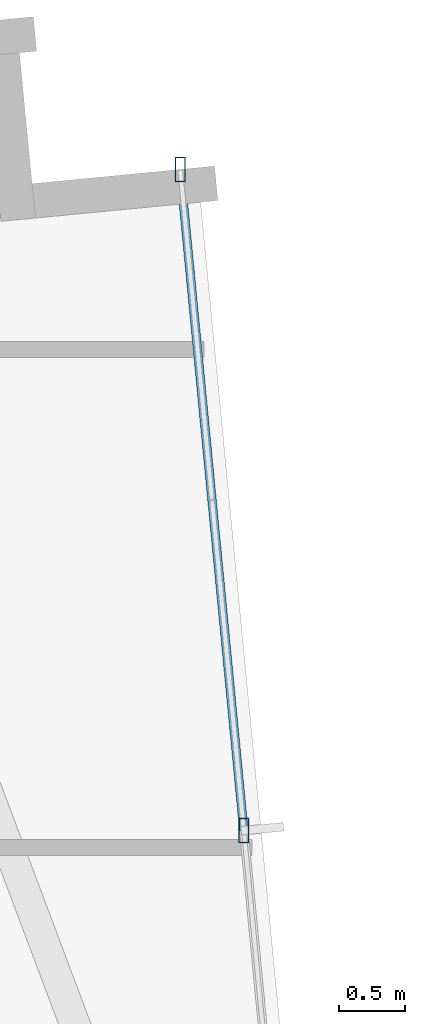
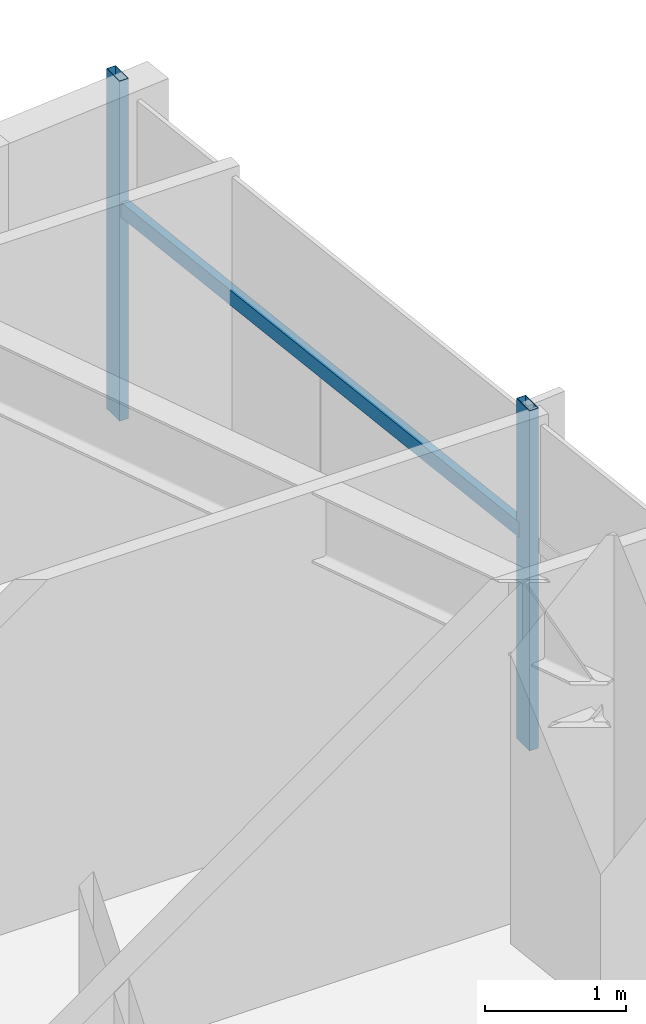
# One storey, part 17 of 25: 3 members, 1 element without a shape of its own.
"""IFC4 building model written with IfcOpenShell, lengths in metres."""

from ifc_helpers import new_model, si_unit, direction, frame, origin, origin_2d, place, context, subcontext, project, spatial, hollow_rectangle, extrude, source, transform, mapped, material, material_profile, profile_set, type_object, type_shapes, element, aggregate, save


model = new_model("IFC4")

# Units and contexts
model_context = context("Model", 3, precision=1e-05, world=origin(), true_north=direction((0.0, 1.0)))
body_context = subcontext(model_context, "Body", "Model", "MODEL_VIEW")
ifc_project = project(units=[si_unit("LENGTHUNIT", "METRE"), si_unit("AREAUNIT", "SQUARE_METRE"), si_unit("VOLUMEUNIT", "CUBIC_METRE"), si_unit("PLANEANGLEUNIT", "RADIAN"), si_unit("MASSUNIT", "GRAM", prefix="KILO")], contexts=[model_context])

# Site, building, storey
site_placement = place(None, origin())
site = spatial("IfcSite", under=ifc_project, at=site_placement, CompositionType="ELEMENT")
building_placement = place(site_placement, origin())
building = spatial("IfcBuilding", under=site, at=building_placement, Name="Astriad Promenade Condominiums", CompositionType="ELEMENT")
storey_placement = place(building_placement, frame((0.0, 0.0, 77.800048828125)))
storey = spatial("IfcBuildingStorey", under=building, at=storey_placement, Name="L21", CompositionType="ELEMENT", Elevation=77.800048828125)

# Curtain wall, members
ifc_material_1 = material(Name="Anodised aluminium Black Dark Glass Unitised", Category="aluminium")
curtain_wall_type = type_object("IfcCurtainWallType", Name="CW-B2-DARK", PredefinedType="USERDEFINED", material=ifc_material_1)
curtain_wall_placement = place(storey_placement, origin())
curtain_wall = element("IfcCurtainWall", 1, at=curtain_wall_placement, inside=storey, type_object=curtain_wall_type, Name="CW-L21-E", ObjectType="UNITISED_CURTAIN_WALL", PredefinedType="USERDEFINED")
ifc_material_2 = material(Name="Anodised aluminium 6063-T6 Black", Category="aluminium")
ifc_material_profile_1 = material_profile(ifc_material_2, hollow_rectangle(XDim=0.074951171875, YDim=0.18505859375, WallThickness=0.00439453125, at=origin_2d()), Name="ALU-MUL-75X185")
ifc_profile_set_1 = profile_set([ifc_material_profile_1], Name="Anodised aluminium 6063-T6 Black")
member_type_1 = type_object("IfcMemberType", Name="MUL-ALU-MUL-75X185", PredefinedType="MULLION", material=ifc_profile_set_1)
shared_shape_1 = source(origin(), body_context, "Body", "SweptSolid", [
    extrude(hollow_rectangle(XDim=0.074951171875, YDim=0.18505859375, WallThickness=0.00439453125, at=origin_2d()), origin(), (0.0, 0.0, 1.0), 2.93994140625),
])
type_shapes(member_type_1, [shared_shape_1])
member_1_placement = place(storey_placement, frame((68.0146484375, 26.609130859375, 0.0), z_axis=(0.0, 0.0, 1.0), x_axis=(1.0, 0.0, 0.0)))
member_1 = element("IfcMember", 2, at=member_1_placement, type_object=member_type_1, Name="CW-L21-E-MUL-00", PredefinedType="MULLION", context=body_context, shape_type="MappedRepresentation", body=[
    mapped(shared_shape_1, transform((0.0, 0.0, 0.0), scale=1.0)),
])
member_2_placement = place(storey_placement, frame((68.493896484375, 21.632080078125, 0.0), z_axis=(0.0, 0.0, 1.0), x_axis=(1.0, 0.0, 0.0)))
member_2 = element("IfcMember", 3, at=member_2_placement, type_object=member_type_1, Name="CW-L21-E-MUL-01", PredefinedType="MULLION", context=body_context, shape_type="MappedRepresentation", body=[
    mapped(shared_shape_1, transform((0.0, 0.0, 0.0), scale=1.0)),
])
ifc_material_profile_2 = material_profile(ifc_material_2, hollow_rectangle(XDim=0.06494140625, YDim=0.1298828125, WallThickness=0.00390625, at=origin_2d()), Name="ALU-TRN-65X130")
ifc_profile_set_2 = profile_set([ifc_material_profile_2], Name="Anodised aluminium 6063-T6 Black")
member_type_2 = type_object("IfcMemberType", Name="TRN-ALU-TRN-65X130", PredefinedType="USERDEFINED", material=ifc_profile_set_2)
shared_shape_2 = source(origin(), body_context, "Body", "SweptSolid", [
    extrude(hollow_rectangle(XDim=0.06494140625, YDim=0.1298828125, WallThickness=0.00390625, at=origin_2d()), origin(), (0.0, 0.0, 1.0), 5.0),
])
type_shapes(member_type_2, [shared_shape_2])
member_3_placement = place(storey_placement, frame((68.0146484375, 26.609130859375, 1.82275390625), z_axis=(0.095848242264, -0.995395958629, 0.0), x_axis=(0.995395958629, 0.095848242264, 0.0)))
member_3 = element("IfcMember", 4, at=member_3_placement, type_object=member_type_2, Name="CW-L21-E-TRN-00-0", ObjectType="TRANSOM", PredefinedType="USERDEFINED", context=body_context, shape_type="MappedRepresentation", body=[
    mapped(shared_shape_2, transform((0.0, 0.0, 0.0), scale=1.0)),
])
aggregate(curtain_wall, [member_1, member_2, member_3])

save(model, "model.ifc")
